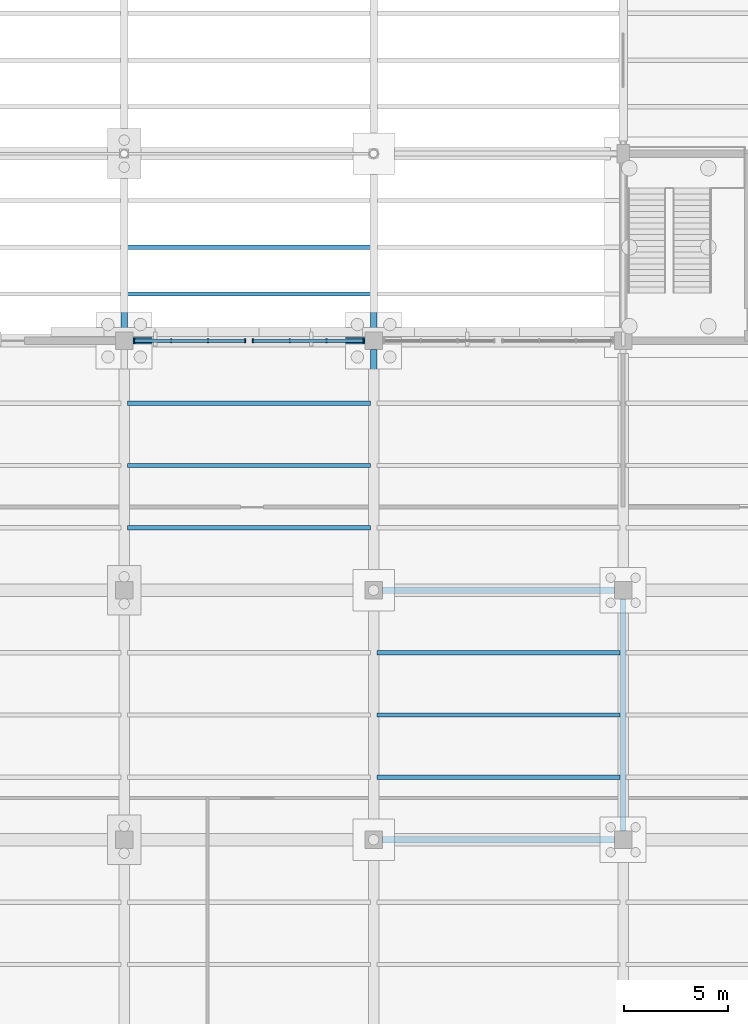
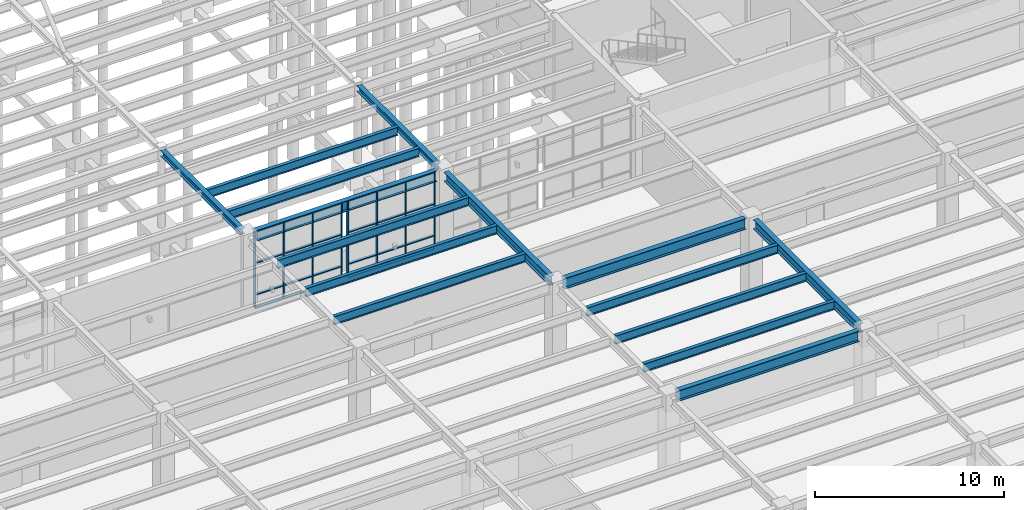
# One storey, part 37 of 85: 16 members, 15 beams, 2 elements without a shape of their own.
"""IFC4 building model written with IfcOpenShell, lengths in metres."""

import ifcopenshell
import ifcopenshell.guid

model = None  # the IFC model being written
_history = None  # IfcOwnerHistory: only IFC2X3 demands one
_inside = {}  # id of a spatial element -> (the spatial element, [elements in it])
_under = {}  # id of a project, library or spatial element -> (it, [spatial elements below it])
_declared = {}  # id of a project -> (the project, [libraries it declares])
_typed = {}  # id of a type object -> (the type object, [elements of that type])
_made_of = {}  # id of a material, layer set ... -> (it, [elements and type objects made of it])


def new_model(schema):
    """Start an empty IFC model of exactly this schema.

    Asked for "IFC4X3", IfcOpenShell would pick the latest addendum, in which some entities
    have other attributes; the version numbers below select the first issue.
    IFC2X3 requires an IfcOwnerHistory on every rooted entity: one is made here for all.
    """
    global model, _history
    if schema == "IFC4X3":
        model = ifcopenshell.file(schema_version=(4, 3, 0, 0))
    else:
        model = ifcopenshell.file(schema=schema)
    _inside.clear()
    _under.clear()
    _declared.clear()
    _typed.clear()
    _made_of.clear()
    _history = None
    if model.schema == "IFC2X3":
        org = make("IfcOrganization", Name="unknown")
        user = make(
            "IfcPersonAndOrganization",
            ThePerson=make("IfcPerson", FamilyName="unknown"),
            TheOrganization=org,
        )
        app = make(
            "IfcApplication",
            ApplicationDeveloper=org,
            Version="unknown",
            ApplicationFullName="unknown",
            ApplicationIdentifier="unknown",
        )
        _history = make(
            "IfcOwnerHistory",
            OwningUser=user,
            OwningApplication=app,
            ChangeAction="ADDED",
            CreationDate=0,
        )
    return model


def make(cls, **values):
    """One entity of the class cls with the attributes given. An attribute that is None is left unset."""
    return model.create_entity(
        cls, **{name: value for name, value in values.items() if value is not None}
    )


def rooted(cls, **values):
    """An entity with a GlobalId (a new one), such as an element, a storey or a relation."""
    return make(cls, GlobalId=ifcopenshell.guid.new(), OwnerHistory=_history, **values)


def si_unit(unit_type, name, prefix=None):
    """IfcSIUnit, for example si_unit("LENGTHUNIT", "METRE", prefix="MILLI")."""
    return make("IfcSIUnit", UnitType=unit_type, Prefix=prefix, Name=name)


def assignment(units):
    """IfcUnitAssignment: the units of a project."""
    return None if units is None else make("IfcUnitAssignment", Units=units)


def point(xyz):
    """IfcCartesianPoint."""
    return None if xyz is None else make("IfcCartesianPoint", Coordinates=xyz)


def direction(xyz):
    """IfcDirection."""
    return None if xyz is None else make("IfcDirection", DirectionRatios=xyz)


def frame(location, z_axis=None, x_axis=None):
    """IfcAxis2Placement3D, a coordinate frame: its origin and axes. An axis left out is left unset."""
    return make(
        "IfcAxis2Placement3D",
        Location=point(location),
        Axis=direction(z_axis),
        RefDirection=direction(x_axis),
    )


def frame_2d(location, x_axis=None):
    """IfcAxis2Placement2D, a coordinate frame in the plane: its origin and x axis."""
    return make(
        "IfcAxis2Placement2D", Location=point(location), RefDirection=direction(x_axis)
    )


def origin():
    """The frame at (0, 0, 0) with its axes left unset."""
    return frame((0.0, 0.0, 0.0))


def origin_2d():
    """The frame at (0, 0) in the plane with its x axis left unset."""
    return frame_2d((0.0, 0.0))


def place(relative_to, where):
    """IfcLocalPlacement: puts the frame where relative to a parent placement (None: the world)."""
    return make(
        "IfcLocalPlacement", PlacementRelTo=relative_to, RelativePlacement=where
    )


def context(
    kind, dimensions, precision=None, world=None, true_north=None, identifier=None
):
    """IfcGeometricRepresentationContext, for example the 3D "Model" context."""
    return make(
        "IfcGeometricRepresentationContext",
        ContextIdentifier=identifier,
        ContextType=kind,
        CoordinateSpaceDimension=dimensions,
        Precision=precision,
        WorldCoordinateSystem=world,
        TrueNorth=true_north,
    )


def subcontext(parent, identifier, kind, view, scale=None):
    """IfcGeometricRepresentationSubContext, for example "Body" below "Model"."""
    return make(
        "IfcGeometricRepresentationSubContext",
        ContextIdentifier=identifier,
        ContextType=kind,
        ParentContext=parent,
        TargetScale=scale,
        TargetView=view,
    )


def project(units=None, contexts=None):
    """IfcProject with its units and contexts."""
    return rooted(
        "IfcProject",
        Name="project",
        RepresentationContexts=contexts,
        UnitsInContext=assignment(units),
    )


def spatial(cls, under=None, at=None, **own):
    """A site, building, storey or space (cls), placed at a placement, below another one or the project."""
    s = rooted(cls, ObjectPlacement=at, **own)
    if under is not None:
        _under.setdefault(under.id(), (under, []))[1].append(s)
    return s


def profile(cls, at=None, kind="AREA", **sizes):
    """A parametric profile (cls). Its sizes go by their IFC names, for example OverallWidth=200.0."""
    return make(cls, ProfileType=kind, Position=at, **sizes)


def rectangle(**sizes):
    """IfcRectangleProfileDef."""
    return profile("IfcRectangleProfileDef", **sizes)


def i_section(**sizes):
    """IfcIShapeProfileDef."""
    return profile("IfcIShapeProfileDef", **sizes)


def extrude(swept, where, along, depth):
    """IfcExtrudedAreaSolid: the profile swept, set in the frame where, extruded along a direction by depth."""
    return make(
        "IfcExtrudedAreaSolid",
        SweptArea=swept,
        Position=where,
        ExtrudedDirection=direction(along),
        Depth=depth,
    )


def shape(context_of_items, identifier, shape_type, items):
    """IfcShapeRepresentation: the items that make up one representation, for example the "Body"."""
    return make(
        "IfcShapeRepresentation",
        ContextOfItems=context_of_items,
        RepresentationIdentifier=identifier,
        RepresentationType=shape_type,
        Items=items,
    )


def material(Name=None, Category=None):
    """IfcMaterial."""
    return make("IfcMaterial", Name=Name, Category=Category)


def layer(
    of_material, thickness, ventilated=None, Name=None, Category=None, Priority=None
):
    """IfcMaterialLayer: one layer of a wall or slab, of a material (None: an air gap)."""
    return make(
        "IfcMaterialLayer",
        Material=of_material,
        LayerThickness=thickness,
        IsVentilated=ventilated,
        Name=Name,
        Category=Category,
        Priority=Priority,
    )


def layer_set(layers, Name=None):
    """IfcMaterialLayerSet."""
    return make("IfcMaterialLayerSet", MaterialLayers=layers, LayerSetName=Name)


def material_profile(
    of_material, cross_section, Name=None, Category=None, Priority=None
):
    """IfcMaterialProfile: a cross section and its material."""
    return make(
        "IfcMaterialProfile",
        Name=Name,
        Material=of_material,
        Profile=cross_section,
        Priority=Priority,
        Category=Category,
    )


def profile_set(profiles, Name=None, composite=None):
    """IfcMaterialProfileSet."""
    return make(
        "IfcMaterialProfileSet",
        Name=Name,
        MaterialProfiles=profiles,
        CompositeProfile=composite,
    )


def made_of(thing, what):
    """Note that an element or type object is made of a material, layer set ...; save() writes the relation."""
    if what is not None:
        _made_of.setdefault(what.id(), (what, []))[1].append(thing)
    return thing


def type_object(cls, material=None, **own):
    """A type object (cls), such as IfcWallType, which elements share."""
    return made_of(rooted(cls, **own), material)


def element(
    cls,
    number,
    at=None,
    inside=None,
    cuts=None,
    type_object=None,
    material=None,
    context=None,
    identifier="Body",
    shape_type=None,
    held_by="IfcProductDefinitionShape",
    body=None,
    shapes=None,
    **own,
):
    """One element of the class cls, such as IfcWall. Its Tag is "e" and its number.

    at: its placement. inside: the storey or other place that contains it. cuts: it is an
    opening in that element (IfcRelVoidsElement). A single representation is given by context,
    identifier, shape_type and body (its items); several are given by shapes. held_by: the class
    of the entity that holds the representations. save() writes the other relations.
    """
    e = rooted(cls, Tag="e%d" % number, ObjectPlacement=at, **own)
    if body is not None:
        shapes = [shape(context, identifier, shape_type, body)]
    if shapes is not None:
        e.Representation = make(held_by, Representations=shapes)
    if inside is not None:
        _inside.setdefault(inside.id(), (inside, []))[1].append(e)
    if cuts is not None:
        rooted(
            "IfcRelVoidsElement", RelatingBuildingElement=cuts, RelatedOpeningElement=e
        )
    if type_object is not None:
        _typed.setdefault(type_object.id(), (type_object, []))[1].append(e)
    return made_of(e, material)


def aggregate(whole, parts):
    """IfcRelAggregates: a whole, such as a stair, and the parts it consists of."""
    return rooted("IfcRelAggregates", RelatingObject=whole, RelatedObjects=parts)


def save(model, path):
    """Write the relations noted so far, then the file.

    IfcRelAggregates (storeys below a building ...), IfcRelContainedInSpatialStructure (elements
    in a storey), IfcRelDefinesByType, IfcRelAssociatesMaterial and IfcRelDeclares: one each for
    every whole, place, type object, material and project.
    """
    for whole, parts in _under.values():
        aggregate(whole, parts)
    for where, things in _inside.values():
        rooted(
            "IfcRelContainedInSpatialStructure",
            RelatedElements=things,
            RelatingStructure=where,
        )
    for kind, things in _typed.values():
        rooted("IfcRelDefinesByType", RelatedObjects=things, RelatingType=kind)
    for what, things in _made_of.values():
        rooted("IfcRelAssociatesMaterial", RelatedObjects=things, RelatingMaterial=what)
    for by, libraries in _declared.values():
        rooted("IfcRelDeclares", RelatingContext=by, RelatedDefinitions=libraries)
    model.write(path)


model = new_model("IFC4")

# Units and contexts
model_context = context("Model", 3, precision=1e-05, world=origin(), true_north=direction((0.0, 1.0)))
body_context = subcontext(model_context, "Body", "Model", "MODEL_VIEW")
ifc_project = project(units=[si_unit("LENGTHUNIT", "METRE"), si_unit("AREAUNIT", "SQUARE_METRE"), si_unit("VOLUMEUNIT", "CUBIC_METRE"), si_unit("PLANEANGLEUNIT", "RADIAN"), si_unit("MASSUNIT", "GRAM", prefix="KILO")], contexts=[model_context])

# Site, building, storey
site_placement = place(None, origin())
site = spatial("IfcSite", under=ifc_project, at=site_placement, CompositionType="ELEMENT")
building_placement = place(site_placement, origin())
building = spatial("IfcBuilding", under=site, at=building_placement, Name="Keelwater Ferry Terminal", CompositionType="ELEMENT")
storey_placement = place(building_placement, origin())
storey = spatial("IfcBuildingStorey", under=building, at=storey_placement, Name="L00", CompositionType="ELEMENT", Elevation=0.0)

# Curtain wall, members
ifc_material_1 = material(Name="Thermally broken unitised aluminium and triple glass", Category="aluminium")
ifc_layer = layer(ifc_material_1, 0.179931640625)
ifc_layer_set = layer_set([ifc_layer], Name="Thermally broken unitised aluminium and triple glass")
curtain_wall_type = type_object("IfcCurtainWallType", Name="CW-05 Unitised Curtain Wall 5305x4950", PredefinedType="USERDEFINED", material=ifc_layer_set)
curtain_wall_1_placement = place(storey_placement, origin())
curtain_wall_1 = element("IfcCurtainWall", 1, at=curtain_wall_1_placement, inside=storey, type_object=curtain_wall_type, Name="Unitised Curtain Wall CW-L00-027", ObjectType="UNITISED CURTAIN WALL", PredefinedType="USERDEFINED")
ifc_material_2 = material(Name="Aluminium mullion", Category="aluminium")
ifc_material_profile_1 = material_profile(ifc_material_2, rectangle(XDim=0.06494140625, YDim=0.179931640625, at=origin_2d()), Name="CWM-01")
ifc_profile_set_1 = profile_set([ifc_material_profile_1], Name="Aluminium mullion")
member_type_1 = type_object("IfcMemberType", Name="CWM-01 Curtain Mullion 65x180", PredefinedType="MULLION", material=ifc_profile_set_1)
member_1_placement = place(storey_placement, frame((84.5, 90.0, 0.0), z_axis=(0.0, 0.0, 1.0), x_axis=(1.0, 0.0, 0.0)))
member_1 = element("IfcMember", 2, at=member_1_placement, type_object=member_type_1, Name="CW-L00-027 Mullion 1", PredefinedType="MULLION", context=body_context, shape_type="SweptSolid", body=[
    extrude(rectangle(XDim=0.06494140625, YDim=0.179931640625, at=origin_2d()), origin(), (0.0, 0.0, 1.0), 4.949951171875),
])
member_2_placement = place(storey_placement, frame((86.268310546875, 90.0, 0.0), z_axis=(0.0, 0.0, 1.0), x_axis=(1.0, 0.0, 0.0)))
member_2 = element("IfcMember", 3, at=member_2_placement, type_object=member_type_1, Name="CW-L00-027 Mullion 2", PredefinedType="MULLION", context=body_context, shape_type="SweptSolid", body=[
    extrude(rectangle(XDim=0.06494140625, YDim=0.179931640625, at=origin_2d()), origin(), (0.0, 0.0, 1.0), 4.949951171875),
])
member_3_placement = place(storey_placement, frame((88.03662109375, 90.0, 0.0), z_axis=(0.0, 0.0, 1.0), x_axis=(1.0, 0.0, 0.0)))
member_3 = element("IfcMember", 4, at=member_3_placement, type_object=member_type_1, Name="CW-L00-027 Mullion 3", PredefinedType="MULLION", context=body_context, shape_type="SweptSolid", body=[
    extrude(rectangle(XDim=0.06494140625, YDim=0.179931640625, at=origin_2d()), origin(), (0.0, 0.0, 1.0), 4.949951171875),
])
member_4_placement = place(storey_placement, frame((89.804931640625, 90.0, 0.0), z_axis=(0.0, 0.0, 1.0), x_axis=(1.0, 0.0, 0.0)))
member_4 = element("IfcMember", 5, at=member_4_placement, type_object=member_type_1, Name="CW-L00-027 Mullion 4", PredefinedType="MULLION", context=body_context, shape_type="SweptSolid", body=[
    extrude(rectangle(XDim=0.06494140625, YDim=0.179931640625, at=origin_2d()), origin(), (0.0, 0.0, 1.0), 4.949951171875),
])

curtain_wall_2_placement = place(storey_placement, origin())
curtain_wall_2 = element("IfcCurtainWall", 6, at=curtain_wall_2_placement, inside=storey, type_object=curtain_wall_type, Name="Unitised Curtain Wall CW-L00-028", ObjectType="UNITISED CURTAIN WALL", PredefinedType="USERDEFINED")
member_5_placement = place(storey_placement, frame((90.195068359375, 90.0, 0.0), z_axis=(0.0, 0.0, 1.0), x_axis=(1.0, 0.0, 0.0)))
member_5 = element("IfcMember", 7, at=member_5_placement, type_object=member_type_1, Name="CW-L00-028 Mullion 1", PredefinedType="MULLION", context=body_context, shape_type="SweptSolid", body=[
    extrude(rectangle(XDim=0.06494140625, YDim=0.179931640625, at=origin_2d()), origin(), (0.0, 0.0, 1.0), 4.949951171875),
])
member_6_placement = place(storey_placement, frame((91.96337890625, 90.0, 0.0), z_axis=(0.0, 0.0, 1.0), x_axis=(1.0, 0.0, 0.0)))
member_6 = element("IfcMember", 8, at=member_6_placement, type_object=member_type_1, Name="CW-L00-028 Mullion 2", PredefinedType="MULLION", context=body_context, shape_type="SweptSolid", body=[
    extrude(rectangle(XDim=0.06494140625, YDim=0.179931640625, at=origin_2d()), origin(), (0.0, 0.0, 1.0), 4.949951171875),
])
member_7_placement = place(storey_placement, frame((93.731689453125, 90.0, 0.0), z_axis=(0.0, 0.0, 1.0), x_axis=(1.0, 0.0, 0.0)))
member_7 = element("IfcMember", 9, at=member_7_placement, type_object=member_type_1, Name="CW-L00-028 Mullion 3", PredefinedType="MULLION", context=body_context, shape_type="SweptSolid", body=[
    extrude(rectangle(XDim=0.06494140625, YDim=0.179931640625, at=origin_2d()), origin(), (0.0, 0.0, 1.0), 4.949951171875),
])
member_8_placement = place(storey_placement, frame((95.5, 90.0, 0.0), z_axis=(0.0, 0.0, 1.0), x_axis=(1.0, 0.0, 0.0)))
member_8 = element("IfcMember", 10, at=member_8_placement, type_object=member_type_1, Name="CW-L00-028 Mullion 4", PredefinedType="MULLION", context=body_context, shape_type="SweptSolid", body=[
    extrude(rectangle(XDim=0.06494140625, YDim=0.179931640625, at=origin_2d()), origin(), (0.0, 0.0, 1.0), 4.949951171875),
])

# Member
ifc_material_3 = material(Name="Aluminium mullion", Category="aluminium")
ifc_material_profile_2 = material_profile(ifc_material_3, rectangle(XDim=0.159912109375, YDim=0.06494140625, at=origin_2d()), Name="CWT-01")
ifc_profile_set_2 = profile_set([ifc_material_profile_2], Name="Aluminium mullion")
member_type_2 = type_object("IfcMemberType", Name="CWT-01 Curtain Transom 65x160", PredefinedType="USERDEFINED", material=ifc_profile_set_2)
member_9_placement = place(storey_placement, frame((84.5, 90.0, 0.0), z_axis=(1.0, 0.0, 0.0), x_axis=(0.0, 1.0, 0.0)))
member_9 = element("IfcMember", 11, at=member_9_placement, type_object=member_type_2, Name="CW-L00-027 Transom 1", ObjectType="TRANSOM", PredefinedType="USERDEFINED", context=body_context, shape_type="SweptSolid", body=[
    extrude(rectangle(XDim=0.159912109375, YDim=0.06494140625, at=origin_2d()), origin(), (0.0, 0.0, 1.0), 5.304931640625),
])

member_10_placement = place(storey_placement, frame((84.5, 90.0, 0.85009765625), z_axis=(1.0, 0.0, 0.0), x_axis=(0.0, 1.0, 0.0)))
member_10 = element("IfcMember", 12, at=member_10_placement, type_object=member_type_2, Name="CW-L00-027 Transom 2", ObjectType="TRANSOM", PredefinedType="USERDEFINED", context=body_context, shape_type="SweptSolid", body=[
    extrude(rectangle(XDim=0.159912109375, YDim=0.06494140625, at=origin_2d()), origin(), (0.0, 0.0, 1.0), 5.304931640625),
])

member_11_placement = place(storey_placement, frame((84.5, 90.0, 2.89990234375), z_axis=(1.0, 0.0, 0.0), x_axis=(0.0, 1.0, 0.0)))
member_11 = element("IfcMember", 13, at=member_11_placement, type_object=member_type_2, Name="CW-L00-027 Transom 3", ObjectType="TRANSOM", PredefinedType="USERDEFINED", context=body_context, shape_type="SweptSolid", body=[
    extrude(rectangle(XDim=0.159912109375, YDim=0.06494140625, at=origin_2d()), origin(), (0.0, 0.0, 1.0), 5.304931640625),
])

member_12_placement = place(storey_placement, frame((84.5, 90.0, 4.949951171875), z_axis=(1.0, 0.0, 0.0), x_axis=(0.0, 1.0, 0.0)))
member_12 = element("IfcMember", 14, at=member_12_placement, type_object=member_type_2, Name="CW-L00-027 Transom 4", ObjectType="TRANSOM", PredefinedType="USERDEFINED", context=body_context, shape_type="SweptSolid", body=[
    extrude(rectangle(XDim=0.159912109375, YDim=0.06494140625, at=origin_2d()), origin(), (0.0, 0.0, 1.0), 5.304931640625),
])

aggregate(curtain_wall_1, [member_1, member_2, member_3, member_4, member_9, member_10, member_11, member_12])

member_13_placement = place(storey_placement, frame((90.195068359375, 90.0, 0.0), z_axis=(1.0, 0.0, 0.0), x_axis=(0.0, 1.0, 0.0)))
member_13 = element("IfcMember", 15, at=member_13_placement, type_object=member_type_2, Name="CW-L00-028 Transom 1", ObjectType="TRANSOM", PredefinedType="USERDEFINED", context=body_context, shape_type="SweptSolid", body=[
    extrude(rectangle(XDim=0.159912109375, YDim=0.06494140625, at=origin_2d()), origin(), (0.0, 0.0, 1.0), 5.304931640625),
])

member_14_placement = place(storey_placement, frame((90.195068359375, 90.0, 0.85009765625), z_axis=(1.0, 0.0, 0.0), x_axis=(0.0, 1.0, 0.0)))
member_14 = element("IfcMember", 16, at=member_14_placement, type_object=member_type_2, Name="CW-L00-028 Transom 2", ObjectType="TRANSOM", PredefinedType="USERDEFINED", context=body_context, shape_type="SweptSolid", body=[
    extrude(rectangle(XDim=0.159912109375, YDim=0.06494140625, at=origin_2d()), origin(), (0.0, 0.0, 1.0), 5.304931640625),
])

member_15_placement = place(storey_placement, frame((90.195068359375, 90.0, 2.89990234375), z_axis=(1.0, 0.0, 0.0), x_axis=(0.0, 1.0, 0.0)))
member_15 = element("IfcMember", 17, at=member_15_placement, type_object=member_type_2, Name="CW-L00-028 Transom 3", ObjectType="TRANSOM", PredefinedType="USERDEFINED", context=body_context, shape_type="SweptSolid", body=[
    extrude(rectangle(XDim=0.159912109375, YDim=0.06494140625, at=origin_2d()), origin(), (0.0, 0.0, 1.0), 5.304931640625),
])

member_16_placement = place(storey_placement, frame((90.195068359375, 90.0, 4.949951171875), z_axis=(1.0, 0.0, 0.0), x_axis=(0.0, 1.0, 0.0)))
member_16 = element("IfcMember", 18, at=member_16_placement, type_object=member_type_2, Name="CW-L00-028 Transom 4", ObjectType="TRANSOM", PredefinedType="USERDEFINED", context=body_context, shape_type="SweptSolid", body=[
    extrude(rectangle(XDim=0.159912109375, YDim=0.06494140625, at=origin_2d()), origin(), (0.0, 0.0, 1.0), 5.304931640625),
])

aggregate(curtain_wall_2, [member_5, member_6, member_7, member_8, member_13, member_14, member_15, member_16])

# Beams
ifc_material_4 = material(Name="Steel S355", Category="steel")
ifc_material_profile_3 = material_profile(ifc_material_4, i_section(OverallWidth=0.300048828125, OverallDepth=0.699951171875, WebThickness=0.01708984375, FlangeThickness=0.031982421875, at=origin_2d()), Name="HEB 700")
ifc_profile_set_3 = profile_set([ifc_material_profile_3], Name="Steel S355")
beam_type_1 = type_object("IfcBeamType", Name="G2 HEB 700", PredefinedType="BEAM", material=ifc_profile_set_3)
for number, where, z_axis, x_axis, name in (
    (19, (96.416015625, 66.0, 4.7099609375), (1.0, 0.0, 0.0), (0.0, 1.0, 0.0), "Beam BM-L00-0058"),
    (20, (96.416015625, 78.0, 4.7099609375), (1.0, 0.0, 0.0), (0.0, 1.0, 0.0), "Beam BM-L00-0076"),
):
    element("IfcBeam", number, at=place(storey_placement, frame(where, z_axis=z_axis, x_axis=x_axis)), inside=storey, type_object=beam_type_1, Name=name, PredefinedType="BEAM", context=body_context, shape_type="SweptSolid", body=[
        extrude(i_section(OverallWidth=0.300048828125, OverallDepth=0.699951171875, WebThickness=0.01708984375, FlangeThickness=0.031982421875, at=origin_2d()), origin(), (0.0, 0.0, 1.0), 11.16796875),
    ])
ifc_material_5 = material(Name="Steel S355", Category="steel")
ifc_material_profile_4 = material_profile(ifc_material_5, i_section(OverallWidth=0.300048828125, OverallDepth=0.699951171875, WebThickness=0.01708984375, FlangeThickness=0.031982421875, at=origin_2d()), Name="HEB 700")
ifc_profile_set_4 = profile_set([ifc_material_profile_4], Name="Steel S355")
beam_type_2 = type_object("IfcBeamType", Name="G2E HEB 700", PredefinedType="BEAM", material=ifc_profile_set_4)
beam_1_placement = place(storey_placement, frame((84.416015625, 90.0, 4.7099609375), z_axis=(1.0, 0.0, 0.0), x_axis=(0.0, 1.0, 0.0)))
element("IfcBeam", 21, at=beam_1_placement, inside=storey, type_object=beam_type_2, Name="Beam BM-L00-0091", PredefinedType="BEAM", context=body_context, shape_type="SweptSolid", body=[
    extrude(i_section(OverallWidth=0.300048828125, OverallDepth=0.699951171875, WebThickness=0.01708984375, FlangeThickness=0.031982421875, at=origin_2d()), origin(), (0.0, 0.0, 1.0), 11.16796875),
])
ifc_material_6 = material(Name="Steel S355", Category="steel")
ifc_material_profile_5 = material_profile(ifc_material_6, i_section(OverallWidth=0.300048828125, OverallDepth=0.60009765625, WebThickness=0.015380859375, FlangeThickness=0.030029296875, at=origin_2d()), Name="HEB 600")
ifc_profile_set_5 = profile_set([ifc_material_profile_5], Name="Steel S355")
beam_type_3 = type_object("IfcBeamType", Name="G3 HEB 600", PredefinedType="BEAM", material=ifc_profile_set_5)
beam_2_placement = place(storey_placement, frame((96.0, 78.416015625, 4.760009765625), z_axis=(0.0, 1.0, 0.0), x_axis=(-1.0, 0.0, 0.0)))
element("IfcBeam", 22, at=beam_2_placement, inside=storey, type_object=beam_type_3, Name="Beam BM-L00-0223", PredefinedType="BEAM", context=body_context, shape_type="SweptSolid", body=[
    extrude(i_section(OverallWidth=0.300048828125, OverallDepth=0.60009765625, WebThickness=0.015380859375, FlangeThickness=0.030029296875, at=origin_2d()), origin(), (0.0, 0.0, 1.0), 11.16796875),
])
ifc_material_7 = material(Name="Steel S355", Category="steel")
ifc_material_profile_6 = material_profile(ifc_material_7, i_section(OverallWidth=0.300048828125, OverallDepth=0.60009765625, WebThickness=0.015380859375, FlangeThickness=0.030029296875, at=origin_2d()), Name="HEB 600")
ifc_profile_set_6 = profile_set([ifc_material_profile_6], Name="Steel S355")
beam_type_4 = type_object("IfcBeamType", Name="G3E HEB 600", PredefinedType="BEAM", material=ifc_profile_set_6)
beam_3_placement = place(storey_placement, frame((108.0, 66.416015625, 4.760009765625), z_axis=(0.0, 1.0, 0.0), x_axis=(-1.0, 0.0, 0.0)))
element("IfcBeam", 23, at=beam_3_placement, inside=storey, type_object=beam_type_4, Name="Beam BM-L00-0230", PredefinedType="BEAM", context=body_context, shape_type="SweptSolid", body=[
    extrude(i_section(OverallWidth=0.300048828125, OverallDepth=0.60009765625, WebThickness=0.015380859375, FlangeThickness=0.030029296875, at=origin_2d()), origin(), (0.0, 0.0, 1.0), 11.16796875),
])
ifc_material_8 = material(Name="Steel S355", Category="steel")
ifc_material_profile_7 = material_profile(ifc_material_8, i_section(OverallWidth=0.300048828125, OverallDepth=0.39990234375, WebThickness=0.013427734375, FlangeThickness=0.02392578125, at=origin_2d()), Name="HEB 400")
ifc_profile_set_7 = profile_set([ifc_material_profile_7], Name="Steel S355")
beam_type_5 = type_object("IfcBeamType", Name="G7 HEB 400", PredefinedType="BEAM", material=ifc_profile_set_7)
for number, where, z_axis, x_axis, name in (
    (24, (84.0, 90.416015625, 4.860107421875), (0.0, 1.0, 0.0), (-1.0, 0.0, 0.0), "Beam BM-L00-0216"),
    (25, (96.0, 90.416015625, 4.860107421875), (0.0, 1.0, 0.0), (-1.0, 0.0, 0.0), "Beam BM-L00-0224"),
):
    element("IfcBeam", number, at=place(storey_placement, frame(where, z_axis=z_axis, x_axis=x_axis)), inside=storey, type_object=beam_type_5, Name=name, PredefinedType="BEAM", context=body_context, shape_type="SweptSolid", body=[
        extrude(i_section(OverallWidth=0.300048828125, OverallDepth=0.39990234375, WebThickness=0.013427734375, FlangeThickness=0.02392578125, at=origin_2d()), origin(), (0.0, 0.0, 1.0), 8.4169921875),
    ])
ifc_material_9 = material(Name="Steel S355", Category="steel")
ifc_material_profile_8 = material_profile(ifc_material_9, i_section(OverallWidth=0.2099609375, OverallDepth=0.550048828125, WebThickness=0.010986328125, FlangeThickness=0.01708984375, at=origin_2d()), Name="IPE 550")
ifc_profile_set_8 = profile_set([ifc_material_profile_8], Name="Steel S355")
beam_type_6 = type_object("IfcBeamType", Name="J2 IPE 550", PredefinedType="JOIST", material=ifc_profile_set_8)
for number, where, z_axis, x_axis, name in (
    (26, (84.14990234375, 81.0, 4.784912109375), (1.0, 0.0, 0.0), (0.0, 1.0, 0.0), "Beam BM-L00-0423"),
    (27, (84.14990234375, 84.0, 4.784912109375), (1.0, 0.0, 0.0), (0.0, 1.0, 0.0), "Beam BM-L00-0424"),
    (28, (84.14990234375, 87.0, 4.784912109375), (1.0, 0.0, 0.0), (0.0, 1.0, 0.0), "Beam BM-L00-0425"),
    (29, (84.14990234375, 92.25, 4.784912109375), (1.0, 0.0, 0.0), (0.0, 1.0, 0.0), "Beam BM-L00-0426"),
    (30, (84.14990234375, 94.5, 4.784912109375), (1.0, 0.0, 0.0), (0.0, 1.0, 0.0), "Beam BM-L00-0427"),
    (31, (96.14990234375, 69.0, 4.784912109375), (1.0, 0.0, 0.0), (0.0, 1.0, 0.0), "Beam BM-L00-0444"),
    (32, (96.14990234375, 72.0, 4.784912109375), (1.0, 0.0, 0.0), (0.0, 1.0, 0.0), "Beam BM-L00-0445"),
    (33, (96.14990234375, 75.0, 4.784912109375), (1.0, 0.0, 0.0), (0.0, 1.0, 0.0), "Beam BM-L00-0446"),
):
    element("IfcBeam", number, at=place(storey_placement, frame(where, z_axis=z_axis, x_axis=x_axis)), inside=storey, type_object=beam_type_6, Name=name, PredefinedType="JOIST", context=body_context, shape_type="SweptSolid", body=[
        extrude(i_section(OverallWidth=0.2099609375, OverallDepth=0.550048828125, WebThickness=0.010986328125, FlangeThickness=0.01708984375, at=origin_2d()), origin(), (0.0, 0.0, 1.0), 11.7001953125),
    ])

save(model, "model.ifc")
